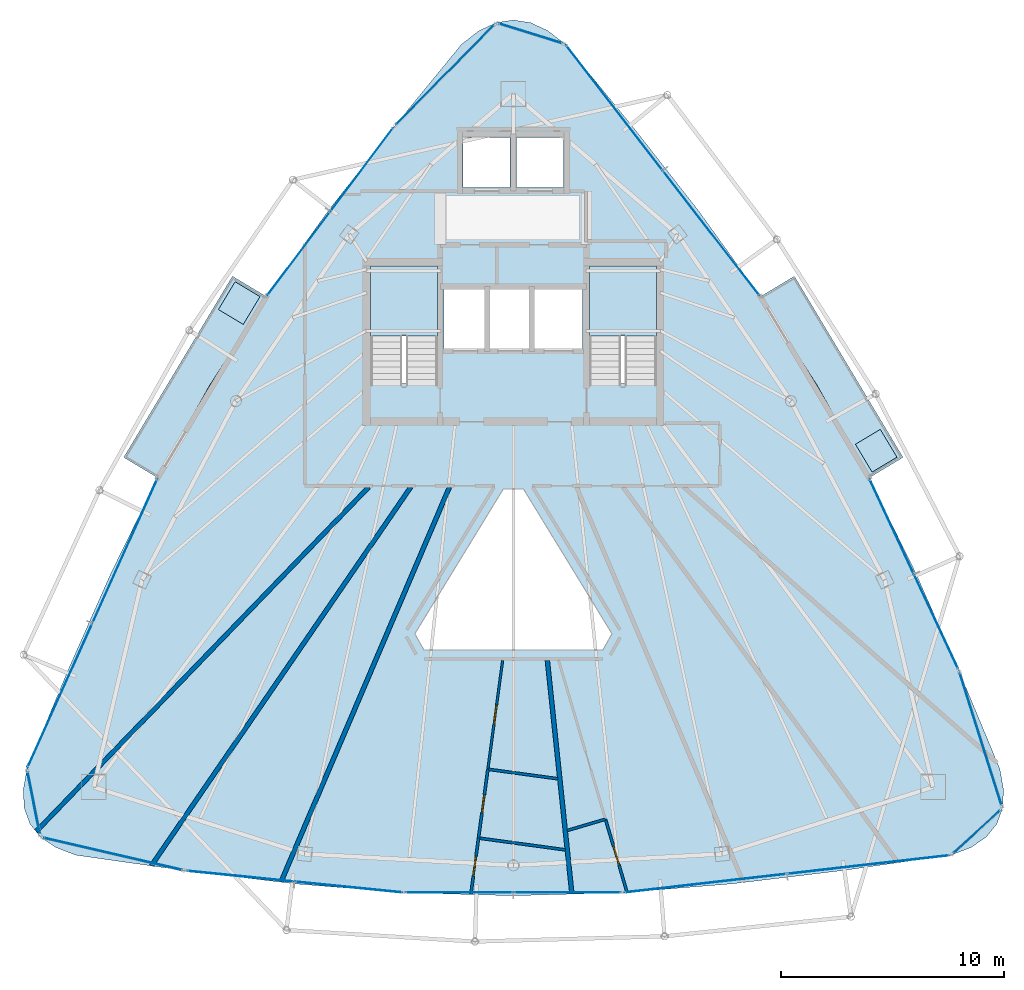
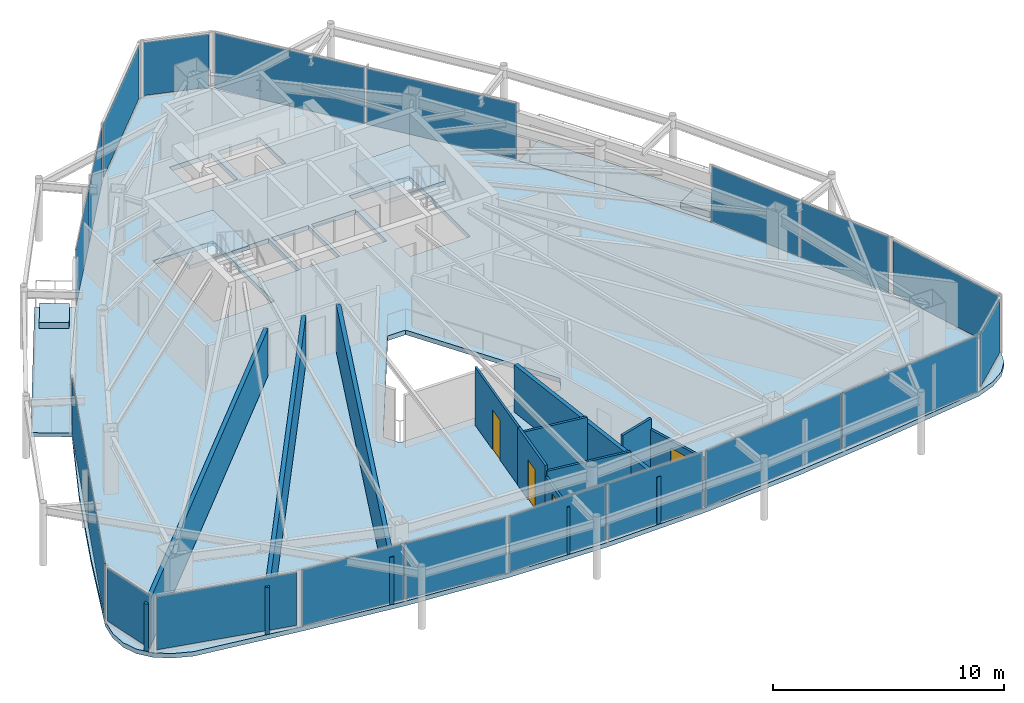
# One storey, part 24 of 28: 20 plates, 11 walls, 7 slabs, 4 doors, 4 openings, 15 elements without a shape of their own.
"""IFC4 building model written with IfcOpenShell, lengths in metres."""

from ifc_helpers import new_model, si_unit, direction, frame, frame_2d, origin, origin_2d, place, context, subcontext, project, spatial, polyline, rectangle, outline, extrude, material, layer, layer_set, type_object, element, fill, aggregate, save


model = new_model("IFC4")

# Units and contexts
model_context = context("Model", 3, precision=1e-05, world=origin(), true_north=direction((0.0, 1.0)))
body_context = subcontext(model_context, "Body", "Model", "MODEL_VIEW")
ifc_project = project(units=[si_unit("LENGTHUNIT", "METRE"), si_unit("AREAUNIT", "SQUARE_METRE"), si_unit("VOLUMEUNIT", "CUBIC_METRE"), si_unit("PLANEANGLEUNIT", "RADIAN"), si_unit("MASSUNIT", "GRAM", prefix="KILO")], contexts=[model_context])

# Site, building, storey
site_placement = place(None, origin())
site = spatial("IfcSite", under=ifc_project, at=site_placement, CompositionType="ELEMENT")
building_placement = place(site_placement, origin())
building = spatial("IfcBuilding", under=site, at=building_placement, Name="Orvanel Arch Residences", CompositionType="ELEMENT")
storey_placement = place(building_placement, frame((0.0, 0.0, 260.14990234375)))
storey = spatial("IfcBuildingStorey", under=building, at=storey_placement, Name="L74", CompositionType="ELEMENT", Elevation=260.14990234375)

# Curtain wall, plates
ifc_material_1 = material(Name="Bronze-anodised aluminium AA6063-T6", Category="aluminium")
ifc_layer_1 = layer(ifc_material_1, 0.175048828125)
ifc_layer_set_1 = layer_set([ifc_layer_1], Name="Bronze-anodised aluminium AA6063-T6")
curtain_wall_type_1 = type_object("IfcCurtainWallType", Name="CW4-HI-SYS", PredefinedType="NOTDEFINED", material=ifc_layer_set_1)
curtain_wall_1_placement = place(storey_placement, origin())
curtain_wall_1 = element("IfcCurtainWall", 1, at=curtain_wall_1_placement, inside=storey, type_object=curtain_wall_type_1, Name="L74 CW4-HI-SYS Unitised Curtain Wall", PredefinedType="NOTDEFINED")
ifc_material_2 = material(Name="Double-glazed solar-control low-E safety glass", Category="glass")
ifc_layer_2 = layer(ifc_material_2, 0.028076171875)
ifc_layer_set_2 = layer_set([ifc_layer_2], Name="Double-glazed solar-control low-E safety glass")
plate_type_1 = type_object("IfcPlateType", Name="PNL-GLZ-28", PredefinedType="CURTAIN_PANEL", material=ifc_layer_set_2)
plate_1_placement = place(storey_placement, frame((26.206298828125, 38.007568359375, 0.06005859375), z_axis=(0.0, 0.0, 1.0), x_axis=(-0.60030390804, -0.799771978749, 0.0)))
plate_1 = element("IfcPlate", 2, at=plate_1_placement, type_object=plate_type_1, Name="CW-S4 panel 1.1", PredefinedType="CURTAIN_PANEL", context=body_context, shape_type="SweptSolid", body=[
    extrude(rectangle(XDim=4.64013671875, YDim=0.028076171875, at=origin_2d()), origin(), (0.0, 0.0, 1.0), 2.93994140625),
])
plate_2_placement = place(storey_placement, frame((23.3818359375, 34.244384765625, 0.06005859375), z_axis=(0.0, 0.0, 1.0), x_axis=(-0.60030390804, -0.799771978749, 0.0)))
plate_2 = element("IfcPlate", 3, at=plate_2_placement, type_object=plate_type_1, Name="CW-S4 panel 2.1", PredefinedType="CURTAIN_PANEL", context=body_context, shape_type="SweptSolid", body=[
    extrude(rectangle(XDim=4.64013671875, YDim=0.028076171875, at=origin_2d()), origin(), (0.0, 0.0, 1.0), 2.93994140625),
])
aggregate(curtain_wall_1, [plate_1, plate_2])

curtain_wall_2_placement = place(storey_placement, origin())
curtain_wall_2 = element("IfcCurtainWall", 4, at=curtain_wall_2_placement, inside=storey, type_object=curtain_wall_type_1, Name="L74 CW4-HI-SYS Unitised Curtain Wall", PredefinedType="NOTDEFINED")
plate_3_placement = place(storey_placement, frame((15.59375, 20.922607421875, 0.06005859375), z_axis=(0.0, 0.0, 1.0), x_axis=(-0.410078819456, -0.912050087349, 0.0)))
plate_3 = element("IfcPlate", 5, at=plate_3_placement, type_object=plate_type_1, Name="CW-S4 panel 1.1", PredefinedType="CURTAIN_PANEL", context=body_context, shape_type="SweptSolid", body=[
    extrude(rectangle(XDim=7.030517578125, YDim=0.028076171875, at=origin_2d()), origin(), (0.0, 0.0, 1.0), 2.93994140625),
])
plate_4_placement = place(storey_placement, frame((12.68408203125, 14.451416015625, 0.06005859375), z_axis=(0.0, 0.0, 1.0), x_axis=(-0.410078819456, -0.912050087349, 0.0)))
plate_4 = element("IfcPlate", 6, at=plate_4_placement, type_object=plate_type_1, Name="CW-S4 panel 2.1", PredefinedType="CURTAIN_PANEL", context=body_context, shape_type="SweptSolid", body=[
    extrude(rectangle(XDim=7.030517578125, YDim=0.028076171875, at=origin_2d()), origin(), (0.0, 0.0, 1.0), 2.93994140625),
])
aggregate(curtain_wall_2, [plate_3, plate_4])

curtain_wall_3_placement = place(storey_placement, origin())
curtain_wall_3 = element("IfcCurtainWall", 7, at=curtain_wall_3_placement, inside=storey, type_object=curtain_wall_type_1, Name="L74 CW4-HI-SYS Unitised Curtain Wall", PredefinedType="NOTDEFINED")
plate_5_placement = place(storey_placement, frame((20.7744140625, 6.356689453125, 0.06005859375), z_axis=(0.0, 0.0, 1.0), x_axis=(0.995007878099, -0.099796405352, 0.0)))
plate_5 = element("IfcPlate", 8, at=plate_5_placement, type_object=plate_type_1, Name="CW-S4 panel 1.1", PredefinedType="CURTAIN_PANEL", context=body_context, shape_type="SweptSolid", body=[
    extrude(rectangle(XDim=4.807373046875, YDim=0.028076171875, at=origin_2d()), origin(), (0.0, 0.0, 1.0), 2.93994140625),
])
plate_6_placement = place(storey_placement, frame((25.62255859375, 5.870361328125, 0.06005859375), z_axis=(0.0, 0.0, 1.0), x_axis=(0.995007878099, -0.099796405352, 0.0)))
plate_6 = element("IfcPlate", 9, at=plate_6_placement, type_object=plate_type_1, Name="CW-S4 panel 2.1", PredefinedType="CURTAIN_PANEL", context=body_context, shape_type="SweptSolid", body=[
    extrude(rectangle(XDim=4.807373046875, YDim=0.028076171875, at=origin_2d()), origin(), (0.0, 0.0, 1.0), 2.93994140625),
])
aggregate(curtain_wall_3, [plate_5, plate_6])

curtain_wall_4_placement = place(storey_placement, origin())
curtain_wall_4 = element("IfcCurtainWall", 10, at=curtain_wall_4_placement, inside=storey, type_object=curtain_wall_type_1, Name="L74 CW4-HI-SYS Unitised Curtain Wall", PredefinedType="NOTDEFINED")
plate_7_placement = place(storey_placement, frame((30.57568359375, 5.6220703125, 0.06005859375), z_axis=(0.0, 0.0, 1.0), x_axis=(1.0, 0.0, 0.0)))
plate_7 = element("IfcPlate", 11, at=plate_7_placement, type_object=plate_type_1, Name="CW-S4 panel 1.1", PredefinedType="CURTAIN_PANEL", context=body_context, shape_type="SweptSolid", body=[
    extrude(rectangle(XDim=4.783447265625, YDim=0.028076171875, at=origin_2d()), origin(), (0.0, 0.0, 1.0), 2.93994140625),
])
plate_8_placement = place(storey_placement, frame((35.42431640625, 5.6220703125, 0.06005859375), z_axis=(0.0, 0.0, 1.0), x_axis=(1.0, 0.0, 0.0)))
plate_8 = element("IfcPlate", 12, at=plate_8_placement, type_object=plate_type_1, Name="CW-S4 panel 2.1", PredefinedType="CURTAIN_PANEL", context=body_context, shape_type="SweptSolid", body=[
    extrude(rectangle(XDim=4.783447265625, YDim=0.028076171875, at=origin_2d()), origin(), (0.0, 0.0, 1.0), 2.93994140625),
])
aggregate(curtain_wall_4, [plate_7, plate_8])

curtain_wall_5_placement = place(storey_placement, origin())
curtain_wall_5 = element("IfcCurtainWall", 13, at=curtain_wall_5_placement, inside=storey, type_object=curtain_wall_type_1, Name="L74 CW4-HI-SYS Unitised Curtain Wall", PredefinedType="NOTDEFINED")
plate_9_placement = place(storey_placement, frame((41.602294921875, 6.044677734375, 0.06005859375), z_axis=(0.0, 0.0, 1.0), x_axis=(0.993536822126, 0.113510277415, 0.0)))
plate_9 = element("IfcPlate", 14, at=plate_9_placement, type_object=plate_type_1, Name="CW-S4 panel 1.1", PredefinedType="CURTAIN_PANEL", context=body_context, shape_type="SweptSolid", body=[
    extrude(rectangle(XDim=7.28076171875, YDim=0.028076171875, at=origin_2d()), origin(), (0.0, 0.0, 1.0), 2.93994140625),
])
plate_10_placement = place(storey_placement, frame((48.900634765625, 6.87841796875, 0.06005859375), z_axis=(0.0, 0.0, 1.0), x_axis=(0.993536822126, 0.113510277415, 0.0)))
plate_10 = element("IfcPlate", 15, at=plate_10_placement, type_object=plate_type_1, Name="CW-S4 panel 2.1", PredefinedType="CURTAIN_PANEL", context=body_context, shape_type="SweptSolid", body=[
    extrude(rectangle(XDim=7.28076171875, YDim=0.028076171875, at=origin_2d()), origin(), (0.0, 0.0, 1.0), 2.93994140625),
])
aggregate(curtain_wall_5, [plate_9, plate_10])

curtain_wall_6_placement = place(storey_placement, origin())
curtain_wall_6 = element("IfcCurtainWall", 16, at=curtain_wall_6_placement, inside=storey, type_object=curtain_wall_type_1, Name="L74 CW4-HI-SYS Unitised Curtain Wall", PredefinedType="NOTDEFINED")
plate_11_placement = place(storey_placement, frame((51.93798828125, 17.76318359375, 0.06005859375), z_axis=(0.0, 0.0, 1.0), x_axis=(-0.423076106083, 0.906094149888, 0.0)))
plate_11 = element("IfcPlate", 17, at=plate_11_placement, type_object=plate_type_1, Name="CW-S4 panel 1.1", PredefinedType="CURTAIN_PANEL", context=body_context, shape_type="SweptSolid", body=[
    extrude(rectangle(XDim=4.640380859375, YDim=0.028076171875, at=origin_2d()), origin(), (0.0, 0.0, 1.0), 2.93994140625),
])
plate_12_placement = place(storey_placement, frame((49.947021484375, 22.02685546875, 0.06005859375), z_axis=(0.0, 0.0, 1.0), x_axis=(-0.423076106083, 0.906094149888, 0.0)))
plate_12 = element("IfcPlate", 18, at=plate_12_placement, type_object=plate_type_1, Name="CW-S4 panel 2.1", PredefinedType="CURTAIN_PANEL", context=body_context, shape_type="SweptSolid", body=[
    extrude(rectangle(XDim=4.640380859375, YDim=0.028076171875, at=origin_2d()), origin(), (0.0, 0.0, 1.0), 2.93994140625),
])
aggregate(curtain_wall_6, [plate_11, plate_12])

curtain_wall_7_placement = place(storey_placement, origin())
curtain_wall_7 = element("IfcCurtainWall", 19, at=curtain_wall_7_placement, inside=storey, type_object=curtain_wall_type_1, Name="L74 CW4-HI-SYS Unitised Curtain Wall", PredefinedType="NOTDEFINED")
plate_13_placement = place(storey_placement, frame((41.860595703125, 35.16943359375, 0.06005859375), z_axis=(0.0, 0.0, 1.0), x_axis=(-0.611587251509, 0.791176992709, 0.0)))
plate_13 = element("IfcPlate", 20, at=plate_13_placement, type_object=plate_type_1, Name="CW-S4 panel 1.1", PredefinedType="CURTAIN_PANEL", context=body_context, shape_type="SweptSolid", body=[
    extrude(rectangle(XDim=7.02978515625, YDim=0.028076171875, at=origin_2d()), origin(), (0.0, 0.0, 1.0), 2.93994140625),
])
plate_14_placement = place(storey_placement, frame((37.521484375, 40.78271484375, 0.06005859375), z_axis=(0.0, 0.0, 1.0), x_axis=(-0.611587251509, 0.791176992709, 0.0)))
plate_14 = element("IfcPlate", 21, at=plate_14_placement, type_object=plate_type_1, Name="CW-S4 panel 2.1", PredefinedType="CURTAIN_PANEL", context=body_context, shape_type="SweptSolid", body=[
    extrude(rectangle(XDim=7.02978515625, YDim=0.028076171875, at=origin_2d()), origin(), (0.0, 0.0, 1.0), 2.93994140625),
])
aggregate(curtain_wall_7, [plate_13, plate_14])

# Curtain wall, plate
ifc_layer_3 = layer(ifc_material_1, 0.18994140625)
ifc_layer_set_3 = layer_set([ifc_layer_3], Name="Bronze-anodised aluminium AA6063-T6")
curtain_wall_type_2 = type_object("IfcCurtainWallType", Name="CW5-CRN-SYS", PredefinedType="NOTDEFINED", material=ifc_layer_set_3)
curtain_wall_8_placement = place(storey_placement, origin())
curtain_wall_8 = element("IfcCurtainWall", 22, at=curtain_wall_8_placement, inside=storey, type_object=curtain_wall_type_2, Name="L74 CW5-CRN-SYS Unitised Curtain Wall", PredefinedType="NOTDEFINED")
ifc_layer_4 = layer(ifc_material_2, 0.031982421875)
ifc_layer_set_4 = layer_set([ifc_layer_4], Name="Double-glazed solar-control low-E safety glass")
plate_type_2 = type_object("IfcPlateType", Name="PNL-GLZ-32", PredefinedType="CURTAIN_PANEL", material=ifc_layer_set_4)
plate_15_placement = place(storey_placement, frame((33.7734375, 44.112060546875, 0.1298828125), z_axis=(0.0, 0.0, 1.0), x_axis=(-0.95489617321, 0.296939890194, 0.0)))
plate_15 = element("IfcPlate", 23, at=plate_15_placement, type_object=plate_type_2, Name="CW-S5 panel 1.1", PredefinedType="CURTAIN_PANEL", context=body_context, shape_type="SweptSolid", body=[
    extrude(rectangle(XDim=2.8994140625, YDim=0.031982421875, at=origin_2d()), origin(), (0.0, 0.0, 1.0), 2.800048828125),
])
aggregate(curtain_wall_8, [plate_15])

curtain_wall_9_placement = place(storey_placement, origin())
curtain_wall_9 = element("IfcCurtainWall", 24, at=curtain_wall_9_placement, inside=storey, type_object=curtain_wall_type_2, Name="L74 CW5-CRN-SYS Unitised Curtain Wall", PredefinedType="NOTDEFINED")
plate_16_placement = place(storey_placement, frame((29.9384765625, 42.261962890625, 0.1298828125), z_axis=(0.0, 0.0, 1.0), x_axis=(-0.700531625722, -0.713621357138, 0.0)))
plate_16 = element("IfcPlate", 25, at=plate_16_placement, type_object=plate_type_2, Name="CW-S5 panel 1.1", PredefinedType="CURTAIN_PANEL", context=body_context, shape_type="SweptSolid", body=[
    extrude(rectangle(XDim=6.193603515625, YDim=0.031982421875, at=origin_2d()), origin(), (0.0, 0.0, 1.0), 2.800048828125),
])
aggregate(curtain_wall_9, [plate_16])

curtain_wall_10_placement = place(storey_placement, origin())
curtain_wall_10 = element("IfcCurtainWall", 26, at=curtain_wall_10_placement, inside=storey, type_object=curtain_wall_type_2, Name="L74 CW5-CRN-SYS Unitised Curtain Wall", PredefinedType="NOTDEFINED")
plate_17_placement = place(storey_placement, frame((11.512939453125, 9.638427734375, 0.1298828125), z_axis=(0.0, 0.0, 1.0), x_axis=(0.195553879253, -0.980692959243, 0.0)))
plate_17 = element("IfcPlate", 27, at=plate_17_placement, type_object=plate_type_2, Name="CW-S5 panel 1.1", PredefinedType="CURTAIN_PANEL", context=body_context, shape_type="SweptSolid", body=[
    extrude(rectangle(XDim=2.7783203125, YDim=0.031982421875, at=origin_2d()), origin(), (0.0, 0.0, 1.0), 2.800048828125),
])
aggregate(curtain_wall_10, [plate_17])

curtain_wall_11_placement = place(storey_placement, origin())
curtain_wall_11 = element("IfcCurtainWall", 28, at=curtain_wall_11_placement, inside=storey, type_object=curtain_wall_type_2, Name="L74 CW5-CRN-SYS Unitised Curtain Wall", PredefinedType="NOTDEFINED")
plate_18_placement = place(storey_placement, frame((15.05810546875, 7.35693359375, 0.1298828125), z_axis=(0.0, 0.0, 1.0), x_axis=(0.974145951661, -0.225919598226, 0.0)))
plate_18 = element("IfcPlate", 29, at=plate_18_placement, type_object=plate_type_2, Name="CW-S5 panel 1.1", PredefinedType="CURTAIN_PANEL", context=body_context, shape_type="SweptSolid", body=[
    extrude(rectangle(XDim=6.31298828125, YDim=0.031982421875, at=origin_2d()), origin(), (0.0, 0.0, 1.0), 2.800048828125),
])
aggregate(curtain_wall_11, [plate_18])

curtain_wall_12_placement = place(storey_placement, origin())
curtain_wall_12 = element("IfcCurtainWall", 30, at=curtain_wall_12_placement, inside=storey, type_object=curtain_wall_type_2, Name="L74 CW5-CRN-SYS Unitised Curtain Wall", PredefinedType="NOTDEFINED")
plate_19_placement = place(storey_placement, frame((53.757080078125, 8.349609375, 0.1298828125), z_axis=(0.0, 0.0, 1.0), x_axis=(0.740219127016, 0.672365707037, 0.0)))
plate_19 = element("IfcPlate", 31, at=plate_19_placement, type_object=plate_type_2, Name="CW-S5 panel 1.1", PredefinedType="CURTAIN_PANEL", context=body_context, shape_type="SweptSolid", body=[
    extrude(rectangle(XDim=2.7802734375, YDim=0.031982421875, at=origin_2d()), origin(), (0.0, 0.0, 1.0), 2.800048828125),
])
aggregate(curtain_wall_12, [plate_19])

curtain_wall_13_placement = place(storey_placement, origin())
curtain_wall_13 = element("IfcCurtainWall", 32, at=curtain_wall_13_placement, inside=storey, type_object=curtain_wall_type_2, Name="L74 CW5-CRN-SYS Unitised Curtain Wall", PredefinedType="NOTDEFINED")
plate_20_placement = place(storey_placement, frame((53.93359375, 12.490966796875, 0.1298828125), z_axis=(0.0, 0.0, 1.0), x_axis=(-0.30162859532, 0.953425503375, 0.0)))
plate_20 = element("IfcPlate", 33, at=plate_20_placement, type_object=plate_type_2, Name="CW-S5 panel 1.1", PredefinedType="CURTAIN_PANEL", context=body_context, shape_type="SweptSolid", body=[
    extrude(rectangle(XDim=6.1484375, YDim=0.031982421875, at=origin_2d()), origin(), (0.0, 0.0, 1.0), 2.800048828125),
])
aggregate(curtain_wall_13, [plate_20])

# Slabs
ifc_material_3 = material(Name="Concrete N40 (40 MPa)", Category="concrete")
ifc_layer_5 = layer(ifc_material_3, 0.199951171875)
ifc_layer_set_5 = layer_set([ifc_layer_5], Name="Concrete N40 (40 MPa)")
slab_type_1 = type_object("IfcSlabType", Name="SLB-BAL-200", PredefinedType="FLOOR", material=ifc_layer_set_5)
slab_1_placement = place(storey_placement, frame((0.0, 0.0, -0.199951171875)))
element("IfcSlab", 34, at=slab_1_placement, inside=storey, type_object=slab_type_1, Name="L74 Cantilevered Balcony Slab Face 3", PredefinedType="FLOOR", context=body_context, shape_type="SweptSolid", body=[
    extrude(outline(polyline([(50.45703125, 25.12109375), (45.587890625, 33.237060546875), (44.06201171875, 32.321044921875), (46.614990234375, 28.333984375), (48.929931640625, 24.2060546875), (50.45703125, 25.12109375)])), origin(), (0.0, 0.0, 1.0), 0.199951171875),
])
slab_2_placement = place(storey_placement, frame((0.0, 0.0, -0.199951171875)))
element("IfcSlab", 35, at=slab_2_placement, inside=storey, type_object=slab_type_1, Name="L74 Cantilevered Balcony Slab Face 1", PredefinedType="FLOOR", context=body_context, shape_type="SweptSolid", body=[
    extrude(outline(polyline([(20.412109375, 33.237060546875), (15.54296875, 25.12109375), (17.070068359375, 24.2060546875), (19.385009765625, 28.333984375), (21.93798828125, 32.321044921875), (20.412109375, 33.237060546875)])), origin(), (0.0, 0.0, 1.0), 0.199951171875),
])

# Stair, slab
ifc_material_4 = material(Name="Precast concrete N50 (50 MPa)", Category="concrete")
stair_type = type_object("IfcStairType", Name="STR-DOG-184", PredefinedType="USERDEFINED", material=ifc_material_4)
stair_1_placement = place(storey_placement, origin())
stair_1 = element("IfcStair", 36, at=stair_1_placement, inside=storey, type_object=stair_type, Name="L74 Fire-Isolated Core Exit Stair 1", ObjectType="TWO_RETURN_STAIR", PredefinedType="USERDEFINED")
ifc_layer_6 = layer(ifc_material_3, 0.199951171875)
ifc_layer_set_6 = layer_set([ifc_layer_6], Name="Concrete N40 (40 MPa)")
slab_type_2 = type_object("IfcSlabType", Name="SLB-LND-200", PredefinedType="LANDING", material=ifc_layer_set_6)
slab_3_placement = place(storey_placement, frame((0.0, 0.0, 1.4501953125)))
slab_3 = element("IfcSlab", 37, at=slab_3_placement, type_object=slab_type_2, Name="ST-1 landing 1", PredefinedType="LANDING", context=body_context, shape_type="SweptSolid", body=[
    extrude(outline(polyline([(29.60009765625, 30.56005859375), (29.60009765625, 33.699951171875), (26.60009765625, 33.699951171875), (26.60009765625, 30.56005859375), (29.60009765625, 30.56005859375)])), origin(), (0.0, 0.0, 1.0), 0.199951171875),
])
aggregate(stair_1, [slab_3])

stair_2_placement = place(storey_placement, origin())
stair_2 = element("IfcStair", 38, at=stair_2_placement, inside=storey, type_object=stair_type, Name="L74 Fire-Isolated Core Exit Stair 2", ObjectType="TWO_RETURN_STAIR", PredefinedType="USERDEFINED")
slab_4_placement = place(storey_placement, frame((0.0, 0.0, 1.4501953125)))
slab_4 = element("IfcSlab", 39, at=slab_4_placement, type_object=slab_type_2, Name="ST-2 landing 1", PredefinedType="LANDING", context=body_context, shape_type="SweptSolid", body=[
    extrude(outline(polyline([(39.39990234375, 30.56005859375), (39.39990234375, 33.699951171875), (36.39990234375, 33.699951171875), (36.39990234375, 30.56005859375), (39.39990234375, 30.56005859375)])), origin(), (0.0, 0.0, 1.0), 0.199951171875),
])
aggregate(stair_2, [slab_4])

# Slabs
ifc_material_5 = material(Name="Structural architectural precast concrete N40 (40 MPa) planter", Category="concrete")
ifc_layer_7 = layer(ifc_material_5, 0.320068359375)
ifc_layer_set_7 = layer_set([ifc_layer_7], Name="Structural architectural precast concrete N40 (40 MPa) planter")
slab_type_3 = type_object("IfcSlabType", Name="SLB-PLN-320", PredefinedType="USERDEFINED", material=ifc_layer_set_7)
slab_5_placement = place(storey_placement, origin())
element("IfcSlab", 40, at=slab_5_placement, inside=storey, type_object=slab_type_3, Name="L74 Balcony TREE PLANTER Face 3", ObjectType="PLANTER", PredefinedType="USERDEFINED", context=body_context, shape_type="SweptSolid", body=[
    extrude(outline(polyline([(50.181884765625, 25.131103515625), (49.43603515625, 26.375), (48.321044921875, 25.7060546875), (49.06689453125, 24.462890625), (50.181884765625, 25.131103515625)])), origin(), (0.0, 0.0, 1.0), 0.320068359375),
])
slab_6_placement = place(storey_placement, origin())
element("IfcSlab", 41, at=slab_6_placement, inside=storey, type_object=slab_type_3, Name="L74 Balcony TREE PLANTER Face 1", ObjectType="PLANTER", PredefinedType="USERDEFINED", context=body_context, shape_type="SweptSolid", body=[
    extrude(outline(polyline([(20.531982421875, 32.989990234375), (19.785888671875, 31.74609375), (20.90087890625, 31.077880859375), (21.64599609375, 32.321044921875), (20.531982421875, 32.989990234375)])), origin(), (0.0, 0.0, 1.0), 0.320068359375),
])
ifc_layer_8 = layer(ifc_material_3, 0.239990234375)
ifc_layer_set_8 = layer_set([ifc_layer_8], Name="Concrete N40 (40 MPa)")
slab_type_4 = type_object("IfcSlabType", Name="SLB-TYP-240", PredefinedType="FLOOR", material=ifc_layer_set_8)
slab_7_placement = place(storey_placement, frame((0.0, 0.0, -0.239990234375)))
element("IfcSlab", 42, at=slab_7_placement, inside=storey, type_object=slab_type_4, Name="L74 Tower Floor Slab", PredefinedType="FLOOR", context=body_context, shape_type="SweptSolid", body=[
    extrude(outline(polyline([(35.320068359375, 43.631103515625), (34.547119140625, 44.23193359375), (33.77294921875, 44.593017578125), (33.0, 44.714111328125), (32.22705078125, 44.593017578125), (31.452880859375, 44.23193359375), (30.679931640625, 43.631103515625), (27.64990234375, 39.930908203125), (24.7099609375, 36.176025390625), (21.93798828125, 32.321044921875), (19.385009765625, 28.333984375), (17.070068359375, 24.2060546875), (14.97412109375, 19.945068359375), (13.044921875, 15.583984375), (11.2080078125, 11.16796875), (11.041015625, 10.222900390625), (11.087890625, 9.39794921875), (11.346923828125, 8.693115234375), (11.818115234375, 8.10888671875), (12.501953125, 7.64501953125), (13.39794921875, 7.301025390625), (18.298095703125, 6.60498046875), (23.198974609375, 6.01611328125), (28.09912109375, 5.6220703125), (33.0, 5.48291015625), (37.90087890625, 5.6220703125), (42.801025390625, 6.01611328125), (47.701904296875, 6.60498046875), (52.60205078125, 7.301025390625), (53.498046875, 7.64501953125), (54.181884765625, 8.10888671875), (54.654052734375, 8.693115234375), (54.912109375, 9.39794921875), (54.958984375, 10.222900390625), (54.7919921875, 11.16796875), (52.955078125, 15.583984375), (51.02587890625, 19.945068359375), (48.929931640625, 24.2060546875), (46.614990234375, 28.333984375), (44.06201171875, 32.321044921875), (41.2900390625, 36.176025390625), (38.35009765625, 39.930908203125), (35.320068359375, 43.631103515625)]), holes=[polyline([(26.60009765625, 28.429931640625), (26.60009765625, 33.699951171875), (29.60009765625, 33.699951171875), (29.60009765625, 28.429931640625), (26.60009765625, 28.429931640625)]), polyline([(36.39990234375, 28.429931640625), (36.39990234375, 33.699951171875), (39.39990234375, 33.699951171875), (39.39990234375, 28.429931640625), (36.39990234375, 28.429931640625)]), polyline([(29.89990234375, 32.64990234375), (31.75, 32.64990234375), (31.75, 29.949951171875), (29.89990234375, 29.949951171875), (29.89990234375, 32.64990234375)]), polyline([(31.89990234375, 32.64990234375), (33.75, 32.64990234375), (33.75, 29.949951171875), (31.89990234375, 29.949951171875), (31.89990234375, 32.64990234375)]), polyline([(33.89990234375, 32.64990234375), (36.10009765625, 32.64990234375), (36.10009765625, 29.949951171875), (33.89990234375, 29.949951171875), (33.89990234375, 32.64990234375)]), polyline([(30.75, 39.449951171875), (32.85009765625, 39.449951171875), (32.85009765625, 37.199951171875), (30.75, 37.199951171875), (30.75, 39.449951171875)]), polyline([(33.14990234375, 39.449951171875), (35.25, 39.449951171875), (35.25, 37.199951171875), (33.14990234375, 37.199951171875), (33.14990234375, 39.449951171875)]), polyline([(37.416015625, 17.219970703125), (37.006103515625, 16.488037109375), (28.993896484375, 16.488037109375), (28.583984375, 17.219970703125), (32.552978515625, 23.7119140625), (33.447021484375, 23.7119140625), (37.416015625, 17.219970703125)])]), origin(), (0.0, 0.0, 1.0), 0.239990234375),
])

# Walls
ifc_material_6 = material(Name="Fire-rated plasterboard lined steel stud partition", Category="steel")
ifc_layer_9 = layer(ifc_material_6, 0.199951171875)
ifc_layer_set_9 = layer_set([ifc_layer_9], Name="Fire-rated plasterboard lined steel stud partition")
wall_type_1 = type_object("IfcWallType", Name="W-DEM-200", PredefinedType="PARTITIONING", material=ifc_layer_set_9)
wall_1_placement = place(storey_placement, frame((26.52001953125, 23.7900390625, 0.0), z_axis=(0.0, 0.0, 1.0), x_axis=(-0.694637190704, -0.719360252788, 0.0)))
element("IfcWall", 43, at=wall_1_placement, inside=storey, type_object=wall_type_1, Name="L74 Inter-Tenancy Acoustic Demising Wall", PredefinedType="PARTITIONING", context=body_context, shape_type="SweptSolid", body=[
    extrude(rectangle(XDim=21.438720703125, YDim=0.199951171875, at=frame_2d((10.71923828125, 0.0))), origin(), (0.0, 0.0, 1.0), 2.4921875),
])
wall_2_placement = place(storey_placement, frame((34.52099609375, 16.028076171875, 0.0), z_axis=(0.0, 0.0, 1.0), x_axis=(0.104542147599, -0.994520456992, 0.0)))
element("IfcWall", 44, at=wall_2_placement, inside=storey, type_object=wall_type_1, Name="L74 Inter-Tenancy Acoustic Demising Wall", PredefinedType="PARTITIONING", context=body_context, shape_type="SweptSolid", body=[
    extrude(rectangle(XDim=10.513671875, YDim=0.199951171875, at=frame_2d((5.2568359375, 0.0))), origin(), (0.0, 0.0, 1.0), 2.4921875),
])
wall_3_placement = place(storey_placement, frame((22.589111328125, 6.10400390625, 0.0), z_axis=(0.0, 0.0, 1.0), x_axis=(0.392518309842, 0.919744190761, 0.0)))
element("IfcWall", 45, at=wall_3_placement, inside=storey, type_object=wall_type_1, Name="L74 Inter-Tenancy Acoustic Demising Wall", PredefinedType="PARTITIONING", context=body_context, shape_type="SweptSolid", body=[
    extrude(rectangle(XDim=19.229248046875, YDim=0.199951171875, at=frame_2d((9.61474609375, 0.0))), origin(), (0.0, 0.0, 1.0), 2.4921875),
])
wall_4_placement = place(storey_placement, frame((16.783935546875, 6.833984375, 0.0), z_axis=(0.0, 0.0, 1.0), x_axis=(0.565235631435, 0.824929500598, 0.0)))
element("IfcWall", 46, at=wall_4_placement, inside=storey, type_object=wall_type_1, Name="L74 Inter-Tenancy Acoustic Demising Wall", PredefinedType="PARTITIONING", context=body_context, shape_type="SweptSolid", body=[
    extrude(rectangle(XDim=20.554443359375, YDim=0.199951171875, at=frame_2d((10.27734375, 0.0))), origin(), (0.0, 0.0, 1.0), 2.4921875),
])

# Wall, opening, door
ifc_material_7 = material(Name="Acoustic plasterboard lined twin-stud partition", Category="gypsum")
ifc_layer_10 = layer(ifc_material_7, 0.10009765625)
ifc_layer_set_10 = layer_set([ifc_layer_10], Name="Acoustic plasterboard lined twin-stud partition")
wall_type_2 = type_object("IfcWallType", Name="W-INT-100", PredefinedType="PARTITIONING", material=ifc_layer_set_10)
wall_5_placement = place(storey_placement, frame((32.51904296875, 16.028076171875, 0.0), z_axis=(0.0, 0.0, 1.0), x_axis=(-0.134690507908, -0.990887716686, 0.0)))
wall_5 = element("IfcWall", 47, at=wall_5_placement, inside=storey, type_object=wall_type_2, Name="L74 Studio A Internal Partition", PredefinedType="PARTITIONING", context=body_context, shape_type="SweptSolid", body=[
    extrude(rectangle(XDim=4.923095703125, YDim=0.10009765625, at=frame_2d((2.46142578125, 0.0))), origin(), (0.0, 0.0, 1.0), 3.06005859375),
])
opening_1_placement = place(wall_5_placement, frame((2.02099609375, 0.0, 0.0)))
opening_1 = element("IfcOpeningElement", 48, at=opening_1_placement, cuts=wall_5, Name="Opening DI-088", PredefinedType="OPENING", context=body_context, shape_type="SweptSolid", body=[
    extrude(rectangle(XDim=0.8798828125, YDim=2.10009765625, at=frame_2d((0.43994140625, 1.050048828125))), frame((0.0, 0.06005859375, 0.0), z_axis=(0.0, -1.0, 0.0), x_axis=(1.0, 0.0, 0.0)), (0.0, 0.0, 1.0), 0.1201171875),
])
ifc_material_8 = material(Name="Solid-core European oak veneer fire door leaf", Category="wood")
door_type_1 = type_object("IfcDoorType", Name="DR-INT-880", OperationType="NOTDEFINED", PredefinedType="DOOR", material=ifc_material_8)
door_1_placement = place(opening_1_placement, origin())
door_1 = element("IfcDoor", 49, at=door_1_placement, inside=storey, type_object=door_type_1, Name="DR-L74-A-CAR1 L74 Studio A Allied Health Consulting Room 1 Door", OperationType="SINGLE_SWING_LEFT", OverallHeight=2.10009765625, OverallWidth=0.8798828125, PredefinedType="DOOR", context=body_context, shape_type="SweptSolid", body=[
    extrude(rectangle(XDim=0.8798828125, YDim=2.10009765625, at=frame_2d((0.43994140625, 1.050048828125))), frame((0.0, 0.02490234375, 0.0), z_axis=(0.0, -1.0, 0.0), x_axis=(1.0, 0.0, 0.0)), (0.0, 0.0, 1.0), 0.050048828125),
])
fill(opening_1, door_1)

ifc_layer_11 = layer(ifc_material_7, 0.1201171875)
ifc_layer_set_11 = layer_set([ifc_layer_11], Name="Acoustic plasterboard lined twin-stud partition")
wall_type_3 = type_object("IfcWallType", Name="W-WET-120", PredefinedType="PARTITIONING", material=ifc_layer_set_11)
wall_6_placement = place(storey_placement, frame((31.85595703125, 11.14990234375, 0.0), z_axis=(0.0, 0.0, 1.0), x_axis=(-0.134650977284, -0.990893089246, 0.0)))
wall_6 = element("IfcWall", 50, at=wall_6_placement, inside=storey, type_object=wall_type_3, Name="L74 Studio A Bathroom Partition", PredefinedType="PARTITIONING", context=body_context, shape_type="SweptSolid", body=[
    extrude(rectangle(XDim=3.111328125, YDim=0.1201171875, at=frame_2d((1.5556640625, 0.0))), origin(), (0.0, 0.0, 1.0), 3.06005859375),
])
opening_2_placement = place(wall_6_placement, frame((1.14599609375, 0.0, 0.0)))
opening_2 = element("IfcOpeningElement", 51, at=opening_2_placement, cuts=wall_6, Name="Opening DW-082", PredefinedType="OPENING", context=body_context, shape_type="SweptSolid", body=[
    extrude(rectangle(XDim=0.820068359375, YDim=2.10009765625, at=frame_2d((0.41015625, 1.050048828125))), frame((0.0, 0.070068359375, 0.0), z_axis=(0.0, -1.0, 0.0), x_axis=(1.0, 0.0, 0.0)), (0.0, 0.0, 1.0), 0.14013671875),
])
door_type_2 = type_object("IfcDoorType", Name="DR-WET-820", OperationType="NOTDEFINED", PredefinedType="DOOR", material=ifc_material_8)
door_2_placement = place(opening_2_placement, origin())
door_2 = element("IfcDoor", 52, at=door_2_placement, inside=storey, type_object=door_type_2, Name="DR-L74-A-BATH L74 Studio A Bathroom Door", OperationType="SINGLE_SWING_RIGHT", OverallHeight=2.10009765625, OverallWidth=0.820068359375, PredefinedType="DOOR", context=body_context, shape_type="SweptSolid", body=[
    extrude(rectangle(XDim=0.820068359375, YDim=2.10009765625, at=frame_2d((0.41015625, 1.050048828125))), frame((0.0, 0.02490234375, 0.0), z_axis=(0.0, -1.0, 0.0), x_axis=(1.0, 0.0, 0.0)), (0.0, 0.0, 1.0), 0.050048828125),
])
fill(opening_2, door_2)

wall_7_placement = place(storey_placement, frame((31.43701171875, 8.06689453125, 0.0), z_axis=(0.0, 0.0, 1.0), x_axis=(-0.134765499074, -0.990877520312, 0.0)))
wall_7 = element("IfcWall", 53, at=wall_7_placement, inside=storey, type_object=wall_type_3, Name="L74 Studio A Internal Partition", PredefinedType="PARTITIONING", context=body_context, shape_type="SweptSolid", body=[
    extrude(rectangle(XDim=2.5380859375, YDim=0.1201171875, at=frame_2d((1.26904296875, 0.0))), origin(), (0.0, 0.0, 1.0), 2.4921875),
])
opening_3_placement = place(wall_7_placement, frame((0.8291015625, 0.0, 0.0)))
opening_3 = element("IfcOpeningElement", 54, at=opening_3_placement, cuts=wall_7, Name="Opening DI-088", PredefinedType="OPENING", context=body_context, shape_type="SweptSolid", body=[
    extrude(rectangle(XDim=0.8798828125, YDim=2.10009765625, at=frame_2d((0.43994140625, 1.050048828125))), frame((0.0, 0.070068359375, 0.0), z_axis=(0.0, -1.0, 0.0), x_axis=(1.0, 0.0, 0.0)), (0.0, 0.0, 1.0), 0.14013671875),
])
door_3_placement = place(opening_3_placement, origin())
door_3 = element("IfcDoor", 55, at=door_3_placement, inside=storey, type_object=door_type_1, Name="DR-L74-A-KIT L74 Studio A Kitchenette Door", OperationType="SINGLE_SWING_LEFT", OverallHeight=2.10009765625, OverallWidth=0.8798828125, PredefinedType="DOOR", context=body_context, shape_type="SweptSolid", body=[
    extrude(rectangle(XDim=0.8798828125, YDim=2.10009765625, at=frame_2d((0.43994140625, 1.050048828125))), frame((0.0, 0.02490234375, 0.0), z_axis=(0.0, -1.0, 0.0), x_axis=(1.0, 0.0, 0.0)), (0.0, 0.0, 1.0), 0.050048828125),
])
fill(opening_3, door_3)

# Walls
wall_8_placement = place(storey_placement, frame((35.327880859375, 7.5380859375, 0.0), z_axis=(0.0, 0.0, 1.0), x_axis=(-0.990890227425, 0.134672035678, 0.0)))
element("IfcWall", 56, at=wall_8_placement, inside=storey, type_object=wall_type_3, Name="L74 Studio A Bathroom Partition", PredefinedType="PARTITIONING", context=body_context, shape_type="SweptSolid", body=[
    extrude(rectangle(XDim=3.9267578125, YDim=0.1201171875, at=frame_2d((1.96337890625, 0.0))), origin(), (0.0, 0.0, 1.0), 2.773193359375),
])
wall_9_placement = place(storey_placement, frame((31.85595703125, 11.14990234375, 0.0), z_axis=(0.0, 0.0, 1.0), x_axis=(0.990862518896, -0.13487575263, 0.0)))
element("IfcWall", 57, at=wall_9_placement, inside=storey, type_object=wall_type_3, Name="L74 Studio A Bathroom Partition", PredefinedType="PARTITIONING", context=body_context, shape_type="SweptSolid", body=[
    extrude(rectangle(XDim=3.165771484375, YDim=0.1201171875, at=frame_2d((1.5830078125, 0.0))), origin(), (0.0, 0.0, 1.0), 2.773193359375),
])

# Wall, opening, door
wall_10_placement = place(storey_placement, frame((38.0869140625, 5.65087890625, 0.0), z_axis=(0.0, 0.0, 1.0), x_axis=(-0.28300230386, 0.959119229299, 0.0)))
wall_10 = element("IfcWall", 58, at=wall_10_placement, inside=storey, type_object=wall_type_3, Name="L74 Studio D Internal Partition", PredefinedType="PARTITIONING", context=body_context, shape_type="SweptSolid", body=[
    extrude(rectangle(XDim=3.39892578125, YDim=0.1201171875, at=frame_2d((1.699462890625, 0.0))), origin(), (0.0, 0.0, 1.0), 2.4921875),
])
opening_4_placement = place(wall_10_placement, frame((1.259033203125, 0.0, 0.0)))
opening_4 = element("IfcOpeningElement", 59, at=opening_4_placement, cuts=wall_10, Name="Opening DI-088", PredefinedType="OPENING", context=body_context, shape_type="SweptSolid", body=[
    extrude(rectangle(XDim=0.8798828125, YDim=2.10009765625, at=frame_2d((0.43994140625, 1.050048828125))), frame((0.0, 0.070068359375, 0.0), z_axis=(0.0, -1.0, 0.0), x_axis=(1.0, 0.0, 0.0)), (0.0, 0.0, 1.0), 0.14013671875),
])
door_4_placement = place(opening_4_placement, origin())
door_4 = element("IfcDoor", 60, at=door_4_placement, inside=storey, type_object=door_type_1, Name="DR-L74-D-KIT L74 Studio D Kitchenette Door", OperationType="SINGLE_SWING_LEFT", OverallHeight=2.10009765625, OverallWidth=0.8798828125, PredefinedType="DOOR", context=body_context, shape_type="SweptSolid", body=[
    extrude(rectangle(XDim=0.8798828125, YDim=2.10009765625, at=frame_2d((0.43994140625, 1.050048828125))), frame((0.0, 0.02490234375, 0.0), z_axis=(0.0, -1.0, 0.0), x_axis=(1.0, 0.0, 0.0)), (0.0, 0.0, 1.0), 0.050048828125),
])
fill(opening_4, door_4)

# Wall
wall_11_placement = place(storey_placement, frame((37.1240234375, 8.910888671875, 0.0), z_axis=(0.0, 0.0, 1.0), x_axis=(-0.959045510231, -0.283252024362, 0.0)))
element("IfcWall", 61, at=wall_11_placement, inside=storey, type_object=wall_type_3, Name="L74 Studio D Bathroom Partition", PredefinedType="PARTITIONING", context=body_context, shape_type="SweptSolid", body=[
    extrude(rectangle(XDim=1.789306640625, YDim=0.1201171875, at=frame_2d((0.89453125, 0.0))), origin(), (0.0, 0.0, 1.0), 3.06005859375),
])

save(model, "model.ifc")
